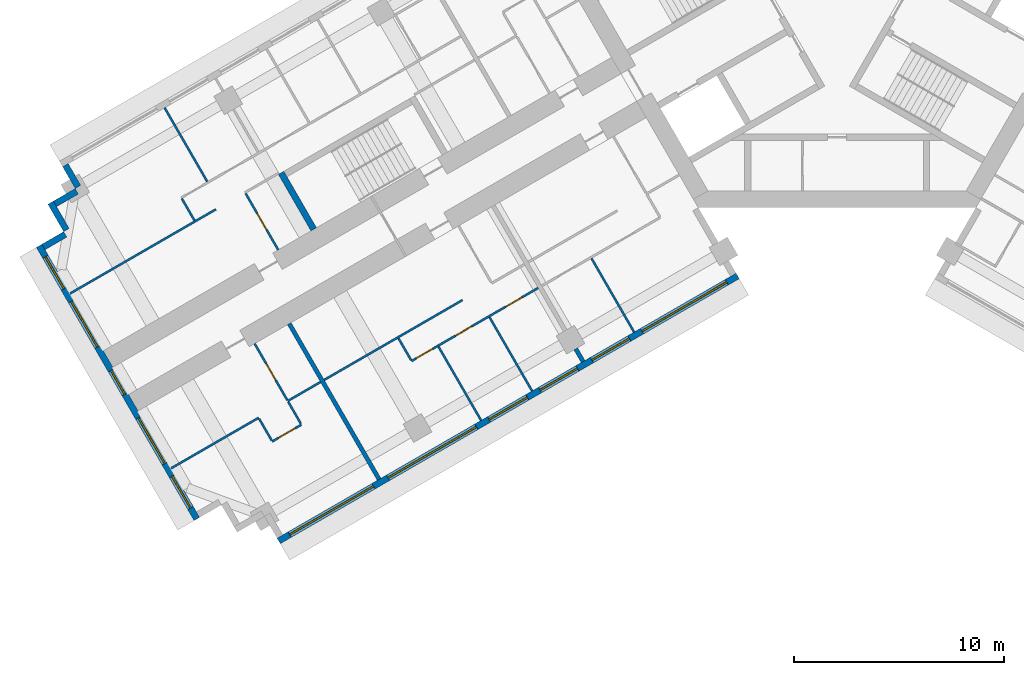
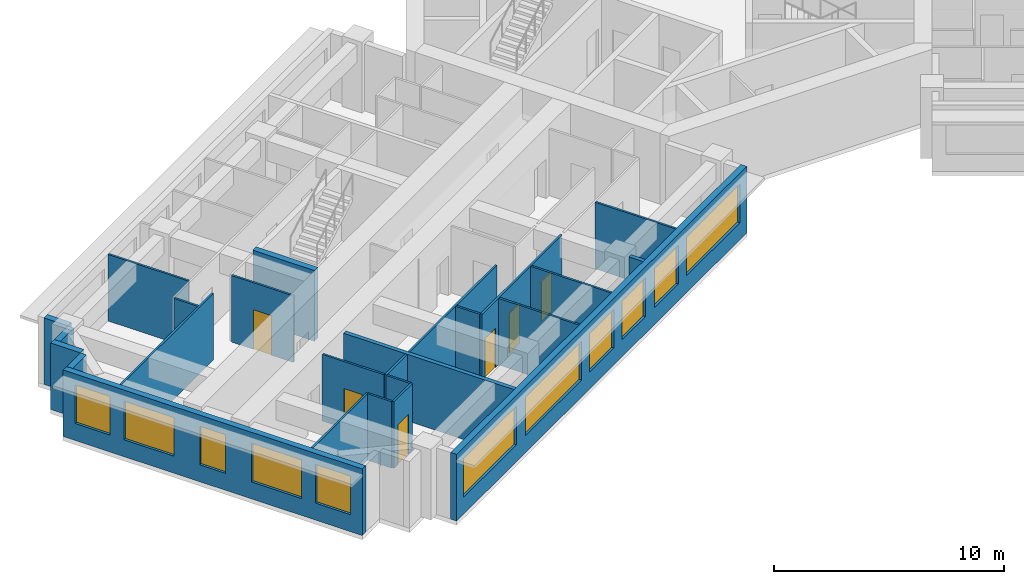
# One storey, part 3 of 14: 25 walls, 11 windows, 6 doors, 17 openings.
"""IFC4 building model written with IfcOpenShell, lengths in metres."""

from ifc_helpers import new_model, si_unit, direction, frame, frame_2d, origin, place, context, subcontext, project, spatial, rectangle, extrude, material, layer, layer_set, type_object, element, fill, save


model = new_model("IFC4")

# Units and contexts
model_context = context("Model", 3, precision=1e-05, world=origin(), true_north=direction((0.0, 1.0)))
body_context = subcontext(model_context, "Body", "Model", "MODEL_VIEW")
ifc_project = project(units=[si_unit("LENGTHUNIT", "METRE"), si_unit("AREAUNIT", "SQUARE_METRE"), si_unit("VOLUMEUNIT", "CUBIC_METRE"), si_unit("PLANEANGLEUNIT", "RADIAN"), si_unit("MASSUNIT", "GRAM", prefix="KILO")], contexts=[model_context])

# Site, building, storey
site_placement = place(None, origin())
site = spatial("IfcSite", under=ifc_project, at=site_placement, CompositionType="ELEMENT")
building_placement = place(site_placement, origin())
building = spatial("IfcBuilding", under=site, at=building_placement, Name="Impinga Residences", CompositionType="ELEMENT")
storey_placement = place(building_placement, frame((0.0, 0.0, 154.75)))
storey = spatial("IfcBuildingStorey", under=building, at=storey_placement, Name="L38", CompositionType="ELEMENT", Elevation=154.75)

# Wall, openings, windows
ifc_material_1 = material(Name="Terracotta rainscreen on blockwork", Category="masonry")
ifc_layer_1 = layer(ifc_material_1, 0.300048828125)
ifc_layer_set_1 = layer_set([ifc_layer_1], Name="EW1 external wall, terracotta rainscreen on blockwork 300")
wall_type_1 = type_object("IfcWallType", Name="EW1 external wall, terracotta rainscreen on blockwork 300", PredefinedType="SOLIDWALL", material=ifc_layer_set_1)
wall_1_placement = place(storey_placement, frame((-4.72509765625, -14.67919921875, 0.0), z_axis=(0.0, 0.0, 1.0), x_axis=(-0.866026832479, -0.499997525421, 0.0)))
wall_1 = element("IfcWall", 1, at=wall_1_placement, inside=storey, type_object=wall_type_1, Name="External wall EW1 L38", PredefinedType="SOLIDWALL", context=body_context, shape_type="SweptSolid", body=[
    extrude(rectangle(XDim=25.199951171875, YDim=0.300048828125, at=frame_2d((12.60009765625, 0.0))), origin(), (0.0, 0.0, 1.0), 3.530029296875),
])
opening_1_placement = place(wall_1_placement, frame((0.60009765625, 0.0, 0.89990234375)))
opening_1 = element("IfcOpeningElement", 2, at=opening_1_placement, cuts=wall_1, Name="Opening W10", PredefinedType="OPENING", context=body_context, shape_type="SweptSolid", body=[
    extrude(rectangle(XDim=4.64990234375, YDim=2.050048828125, at=frame_2d((2.324951171875, 1.02490234375))), frame((0.0, 0.159912109375, 0.0), z_axis=(0.0, -1.0, 0.0), x_axis=(1.0, 0.0, 0.0)), (0.0, 0.0, 1.0), 0.320068359375),
])
opening_2_placement = place(wall_1_placement, frame((5.949951171875, 0.0, 0.89990234375)))
opening_2 = element("IfcOpeningElement", 3, at=opening_2_placement, cuts=wall_1, Name="Opening W14", PredefinedType="OPENING", context=body_context, shape_type="SweptSolid", body=[
    extrude(rectangle(XDim=2.050048828125, YDim=2.050048828125, at=frame_2d((1.02490234375, 1.02490234375))), frame((0.0, 0.159912109375, 0.0), z_axis=(0.0, -1.0, 0.0), x_axis=(1.0, 0.0, 0.0)), (0.0, 0.0, 1.0), 0.320068359375),
])
opening_3_placement = place(wall_1_placement, frame((8.800048828125, 0.0, 0.89990234375)))
opening_3 = element("IfcOpeningElement", 4, at=opening_3_placement, cuts=wall_1, Name="Opening W14", PredefinedType="OPENING", context=body_context, shape_type="SweptSolid", body=[
    extrude(rectangle(XDim=2.050048828125, YDim=2.050048828125, at=frame_2d((1.02490234375, 1.02490234375))), frame((0.0, 0.159912109375, 0.0), z_axis=(0.0, -1.0, 0.0), x_axis=(1.0, 0.0, 0.0)), (0.0, 0.0, 1.0), 0.320068359375),
])
opening_4_placement = place(wall_1_placement, frame((11.550048828125, 0.0, 0.89990234375)))
opening_4 = element("IfcOpeningElement", 5, at=opening_4_placement, cuts=wall_1, Name="Opening W9", PredefinedType="OPENING", context=body_context, shape_type="SweptSolid", body=[
    extrude(rectangle(XDim=2.10009765625, YDim=2.050048828125, at=frame_2d((1.050048828125, 1.02490234375))), frame((0.0, 0.159912109375, 0.0), z_axis=(0.0, -1.0, 0.0), x_axis=(1.0, 0.0, 0.0)), (0.0, 0.0, 1.0), 0.320068359375),
])
opening_5_placement = place(wall_1_placement, frame((14.35009765625, 0.0, 0.89990234375)))
opening_5 = element("IfcOpeningElement", 6, at=opening_5_placement, cuts=wall_1, Name="Opening W6", PredefinedType="OPENING", context=body_context, shape_type="SweptSolid", body=[
    extrude(rectangle(XDim=4.85009765625, YDim=2.050048828125, at=frame_2d((2.425048828125, 1.02490234375))), frame((0.0, 0.159912109375, 0.0), z_axis=(0.0, -1.0, 0.0), x_axis=(1.0, 0.0, 0.0)), (0.0, 0.0, 1.0), 0.320068359375),
])
opening_6_placement = place(wall_1_placement, frame((20.0, 0.0, 0.89990234375)))
opening_6 = element("IfcOpeningElement", 7, at=opening_6_placement, cuts=wall_1, Name="Opening W3", PredefinedType="OPENING", context=body_context, shape_type="SweptSolid", body=[
    extrude(rectangle(XDim=4.60009765625, YDim=2.050048828125, at=frame_2d((2.300048828125, 1.02490234375))), frame((0.0, 0.159912109375, 0.0), z_axis=(0.0, -1.0, 0.0), x_axis=(1.0, 0.0, 0.0)), (0.0, 0.0, 1.0), 0.320068359375),
])
ifc_material_2 = material(Name="Aluminium window, clear double glazing", Category="aluminium")
window_type_1 = type_object("IfcWindowType", Name="W10 ribbon window 4650x2050", PartitioningType="SINGLE_PANEL", PredefinedType="WINDOW", material=ifc_material_2)
window_1_placement = place(opening_1_placement, origin())
window_1 = element("IfcWindow", 8, at=window_1_placement, inside=storey, type_object=window_type_1, Name="Window L38", OverallHeight=2.050048828125, OverallWidth=4.64990234375, PartitioningType="SINGLE_PANEL", PredefinedType="WINDOW", context=body_context, shape_type="SweptSolid", body=[
    extrude(rectangle(XDim=4.64990234375, YDim=2.050048828125, at=frame_2d((2.324951171875, 1.02490234375))), frame((0.0, 0.030029296875, 0.0), z_axis=(0.0, -1.0, 0.0), x_axis=(1.0, 0.0, 0.0)), (0.0, 0.0, 1.0), 0.06005859375),
])
fill(opening_1, window_1)
window_type_2 = type_object("IfcWindowType", Name="W14 ribbon window 2050x2050", PartitioningType="SINGLE_PANEL", PredefinedType="WINDOW", material=ifc_material_2)
window_2_placement = place(opening_2_placement, origin())
window_2 = element("IfcWindow", 9, at=window_2_placement, inside=storey, type_object=window_type_2, Name="Window L38", OverallHeight=2.050048828125, OverallWidth=2.050048828125, PartitioningType="SINGLE_PANEL", PredefinedType="WINDOW", context=body_context, shape_type="SweptSolid", body=[
    extrude(rectangle(XDim=2.050048828125, YDim=2.050048828125, at=frame_2d((1.02490234375, 1.02490234375))), frame((0.0, 0.030029296875, 0.0), z_axis=(0.0, -1.0, 0.0), x_axis=(1.0, 0.0, 0.0)), (0.0, 0.0, 1.0), 0.06005859375),
])
fill(opening_2, window_2)
window_3_placement = place(opening_3_placement, origin())
window_3 = element("IfcWindow", 10, at=window_3_placement, inside=storey, type_object=window_type_2, Name="Window L38", OverallHeight=2.050048828125, OverallWidth=2.050048828125, PartitioningType="SINGLE_PANEL", PredefinedType="WINDOW", context=body_context, shape_type="SweptSolid", body=[
    extrude(rectangle(XDim=2.050048828125, YDim=2.050048828125, at=frame_2d((1.02490234375, 1.02490234375))), frame((0.0, 0.030029296875, 0.0), z_axis=(0.0, -1.0, 0.0), x_axis=(1.0, 0.0, 0.0)), (0.0, 0.0, 1.0), 0.06005859375),
])
fill(opening_3, window_3)
window_type_3 = type_object("IfcWindowType", Name="W3 ribbon window 4600x2050", PartitioningType="SINGLE_PANEL", PredefinedType="WINDOW", material=ifc_material_2)
window_4_placement = place(opening_6_placement, origin())
window_4 = element("IfcWindow", 11, at=window_4_placement, inside=storey, type_object=window_type_3, Name="Window L38", OverallHeight=2.050048828125, OverallWidth=4.60009765625, PartitioningType="SINGLE_PANEL", PredefinedType="WINDOW", context=body_context, shape_type="SweptSolid", body=[
    extrude(rectangle(XDim=4.60009765625, YDim=2.050048828125, at=frame_2d((2.300048828125, 1.02490234375))), frame((0.0, 0.030029296875, 0.0), z_axis=(0.0, -1.0, 0.0), x_axis=(1.0, 0.0, 0.0)), (0.0, 0.0, 1.0), 0.06005859375),
])
fill(opening_6, window_4)
window_type_4 = type_object("IfcWindowType", Name="W6 ribbon window 4850x2050", PartitioningType="SINGLE_PANEL", PredefinedType="WINDOW", material=ifc_material_2)
window_5_placement = place(opening_5_placement, origin())
window_5 = element("IfcWindow", 12, at=window_5_placement, inside=storey, type_object=window_type_4, Name="Window L38", OverallHeight=2.050048828125, OverallWidth=4.85009765625, PartitioningType="SINGLE_PANEL", PredefinedType="WINDOW", context=body_context, shape_type="SweptSolid", body=[
    extrude(rectangle(XDim=4.85009765625, YDim=2.050048828125, at=frame_2d((2.425048828125, 1.02490234375))), frame((0.0, 0.030029296875, 0.0), z_axis=(0.0, -1.0, 0.0), x_axis=(1.0, 0.0, 0.0)), (0.0, 0.0, 1.0), 0.06005859375),
])
fill(opening_5, window_5)
window_type_5 = type_object("IfcWindowType", Name="W9 ribbon window 2100x2050", PartitioningType="SINGLE_PANEL", PredefinedType="WINDOW", material=ifc_material_2)
window_6_placement = place(opening_4_placement, origin())
window_6 = element("IfcWindow", 13, at=window_6_placement, inside=storey, type_object=window_type_5, Name="Window L38", OverallHeight=2.050048828125, OverallWidth=2.10009765625, PartitioningType="SINGLE_PANEL", PredefinedType="WINDOW", context=body_context, shape_type="SweptSolid", body=[
    extrude(rectangle(XDim=2.10009765625, YDim=2.050048828125, at=frame_2d((1.050048828125, 1.02490234375))), frame((0.0, 0.030029296875, 0.0), z_axis=(0.0, -1.0, 0.0), x_axis=(1.0, 0.0, 0.0)), (0.0, 0.0, 1.0), 0.06005859375),
])
fill(opening_4, window_6)

wall_2_placement = place(storey_placement, frame((-30.44189453125, -26.23583984375, 0.0), z_axis=(0.0, 0.0, 1.0), x_axis=(-0.500004234368, 0.866022959057, 0.0)))
wall_2 = element("IfcWall", 14, at=wall_2_placement, inside=storey, type_object=wall_type_1, Name="External wall EW1 L38", PredefinedType="SOLIDWALL", context=body_context, shape_type="SweptSolid", body=[
    extrude(rectangle(XDim=14.999755859375, YDim=0.300048828125, at=frame_2d((7.5, 0.0))), origin(), (0.0, 0.0, 1.0), 3.530029296875),
])
opening_7_placement = place(wall_2_placement, frame((0.60009765625, 0.0, 0.89990234375)))
opening_7 = element("IfcOpeningElement", 15, at=opening_7_placement, cuts=wall_2, Name="Opening W1", PredefinedType="OPENING", context=body_context, shape_type="SweptSolid", body=[
    extrude(rectangle(XDim=1.75, YDim=2.050048828125, at=frame_2d((0.875, 1.02490234375))), frame((0.0, 0.159912109375, 0.0), z_axis=(0.0, -1.0, 0.0), x_axis=(1.0, 0.0, 0.0)), (0.0, 0.0, 1.0), 0.320068359375),
])
opening_8_placement = place(wall_2_placement, frame((3.050048828125, 0.0, 0.89990234375)))
opening_8 = element("IfcOpeningElement", 16, at=opening_8_placement, cuts=wall_2, Name="Opening W2", PredefinedType="OPENING", context=body_context, shape_type="SweptSolid", body=[
    extrude(rectangle(XDim=2.5, YDim=2.050048828125, at=frame_2d((1.25, 1.02490234375))), frame((0.0, 0.159912109375, 0.0), z_axis=(0.0, -1.0, 0.0), x_axis=(1.0, 0.0, 0.0)), (0.0, 0.0, 1.0), 0.320068359375),
])
opening_9_placement = place(wall_2_placement, frame((6.85009765625, 0.0, 0.89990234375)))
opening_9 = element("IfcOpeningElement", 17, at=opening_9_placement, cuts=wall_2, Name="Opening W17", PredefinedType="OPENING", context=body_context, shape_type="SweptSolid", body=[
    extrude(rectangle(XDim=1.300048828125, YDim=2.050048828125, at=frame_2d((0.64990234375, 1.02490234375))), frame((0.0, 0.159912109375, 0.0), z_axis=(0.0, -1.0, 0.0), x_axis=(1.0, 0.0, 0.0)), (0.0, 0.0, 1.0), 0.320068359375),
])
opening_10_placement = place(wall_2_placement, frame((9.449951171875, 0.0, 0.89990234375)))
opening_10 = element("IfcOpeningElement", 18, at=opening_10_placement, cuts=wall_2, Name="Opening W2", PredefinedType="OPENING", context=body_context, shape_type="SweptSolid", body=[
    extrude(rectangle(XDim=2.5, YDim=2.050048828125, at=frame_2d((1.25, 1.02490234375))), frame((0.0, 0.159912109375, 0.0), z_axis=(0.0, -1.0, 0.0), x_axis=(1.0, 0.0, 0.0)), (0.0, 0.0, 1.0), 0.320068359375),
])
opening_11_placement = place(wall_2_placement, frame((12.64990234375, 0.0, 0.89990234375)))
opening_11 = element("IfcOpeningElement", 19, at=opening_11_placement, cuts=wall_2, Name="Opening W1", PredefinedType="OPENING", context=body_context, shape_type="SweptSolid", body=[
    extrude(rectangle(XDim=1.75, YDim=2.050048828125, at=frame_2d((0.875, 1.02490234375))), frame((0.0, 0.159912109375, 0.0), z_axis=(0.0, -1.0, 0.0), x_axis=(1.0, 0.0, 0.0)), (0.0, 0.0, 1.0), 0.320068359375),
])
window_type_6 = type_object("IfcWindowType", Name="W1 ribbon window 1750x2050", PartitioningType="SINGLE_PANEL", PredefinedType="WINDOW", material=ifc_material_2)
window_7_placement = place(opening_7_placement, origin())
window_7 = element("IfcWindow", 20, at=window_7_placement, inside=storey, type_object=window_type_6, Name="Window L38", OverallHeight=2.050048828125, OverallWidth=1.75, PartitioningType="SINGLE_PANEL", PredefinedType="WINDOW", context=body_context, shape_type="SweptSolid", body=[
    extrude(rectangle(XDim=1.75, YDim=2.050048828125, at=frame_2d((0.875, 1.02490234375))), frame((0.0, 0.030029296875, 0.0), z_axis=(0.0, -1.0, 0.0), x_axis=(1.0, 0.0, 0.0)), (0.0, 0.0, 1.0), 0.06005859375),
])
fill(opening_7, window_7)
window_8_placement = place(opening_11_placement, origin())
window_8 = element("IfcWindow", 21, at=window_8_placement, inside=storey, type_object=window_type_6, Name="Window L38", OverallHeight=2.050048828125, OverallWidth=1.75, PartitioningType="SINGLE_PANEL", PredefinedType="WINDOW", context=body_context, shape_type="SweptSolid", body=[
    extrude(rectangle(XDim=1.75, YDim=2.050048828125, at=frame_2d((0.875, 1.02490234375))), frame((0.0, 0.030029296875, 0.0), z_axis=(0.0, -1.0, 0.0), x_axis=(1.0, 0.0, 0.0)), (0.0, 0.0, 1.0), 0.06005859375),
])
fill(opening_11, window_8)
window_type_7 = type_object("IfcWindowType", Name="W17 ribbon window 1300x2050", PartitioningType="SINGLE_PANEL", PredefinedType="WINDOW", material=ifc_material_2)
window_9_placement = place(opening_9_placement, origin())
window_9 = element("IfcWindow", 22, at=window_9_placement, inside=storey, type_object=window_type_7, Name="Window L38", OverallHeight=2.050048828125, OverallWidth=1.300048828125, PartitioningType="SINGLE_PANEL", PredefinedType="WINDOW", context=body_context, shape_type="SweptSolid", body=[
    extrude(rectangle(XDim=1.300048828125, YDim=2.050048828125, at=frame_2d((0.64990234375, 1.02490234375))), frame((0.0, 0.030029296875, 0.0), z_axis=(0.0, -1.0, 0.0), x_axis=(1.0, 0.0, 0.0)), (0.0, 0.0, 1.0), 0.06005859375),
])
fill(opening_9, window_9)
window_type_8 = type_object("IfcWindowType", Name="W2 ribbon window 2500x2050", PartitioningType="SINGLE_PANEL", PredefinedType="WINDOW", material=ifc_material_2)
window_10_placement = place(opening_8_placement, origin())
window_10 = element("IfcWindow", 23, at=window_10_placement, inside=storey, type_object=window_type_8, Name="Window L38", OverallHeight=2.050048828125, OverallWidth=2.5, PartitioningType="SINGLE_PANEL", PredefinedType="WINDOW", context=body_context, shape_type="SweptSolid", body=[
    extrude(rectangle(XDim=2.5, YDim=2.050048828125, at=frame_2d((1.25, 1.02490234375))), frame((0.0, 0.030029296875, 0.0), z_axis=(0.0, -1.0, 0.0), x_axis=(1.0, 0.0, 0.0)), (0.0, 0.0, 1.0), 0.06005859375),
])
fill(opening_8, window_10)
window_11_placement = place(opening_10_placement, origin())
window_11 = element("IfcWindow", 24, at=window_11_placement, inside=storey, type_object=window_type_8, Name="Window L38", OverallHeight=2.050048828125, OverallWidth=2.5, PartitioningType="SINGLE_PANEL", PredefinedType="WINDOW", context=body_context, shape_type="SweptSolid", body=[
    extrude(rectangle(XDim=2.5, YDim=2.050048828125, at=frame_2d((1.25, 1.02490234375))), frame((0.0, 0.030029296875, 0.0), z_axis=(0.0, -1.0, 0.0), x_axis=(1.0, 0.0, 0.0)), (0.0, 0.0, 1.0), 0.06005859375),
])
fill(opening_10, window_11)

# Walls
wall_3_placement = place(storey_placement, frame((-37.737060546875, -13.300537109375, 0.0), z_axis=(0.0, 0.0, 1.0), x_axis=(0.865971243484, 0.500093796661, 0.0)))
element("IfcWall", 25, at=wall_3_placement, inside=storey, type_object=wall_type_1, Name="External wall EW1 L38", PredefinedType="SOLIDWALL", context=body_context, shape_type="SweptSolid", body=[
    extrude(rectangle(XDim=1.195068359375, YDim=0.300048828125, at=frame_2d((0.59765625, 0.0))), origin(), (0.0, 0.0, 1.0), 3.530029296875),
])
wall_4_placement = place(storey_placement, frame((-36.64306640625, -12.49560546875, 0.0), z_axis=(0.0, 0.0, 1.0), x_axis=(-0.499990139034, 0.866031096941, 0.0)))
element("IfcWall", 26, at=wall_4_placement, inside=storey, type_object=wall_type_1, Name="External wall EW1 L38", PredefinedType="SOLIDWALL", context=body_context, shape_type="SweptSolid", body=[
    extrude(rectangle(XDim=1.5, YDim=0.300048828125, at=frame_2d((0.75, 0.0))), origin(), (0.0, 0.0, 1.0), 3.530029296875),
])
wall_5_placement = place(storey_placement, frame((-37.18798828125, -11.25146484375, 0.0), z_axis=(0.0, 0.0, 1.0), x_axis=(0.866059708757, 0.499940577336, 0.0)))
element("IfcWall", 27, at=wall_5_placement, inside=storey, type_object=wall_type_1, Name="External wall EW1 L38", PredefinedType="SOLIDWALL", context=body_context, shape_type="SweptSolid", body=[
    extrude(rectangle(XDim=1.195068359375, YDim=0.300048828125, at=frame_2d((0.59765625, 0.0))), origin(), (0.0, 0.0, 1.0), 3.530029296875),
])
wall_6_placement = place(storey_placement, frame((-36.093994140625, -10.446533203125, 0.0), z_axis=(0.0, 0.0, 1.0), x_axis=(-0.499880961361, 0.866094119867, 0.0)))
element("IfcWall", 28, at=wall_6_placement, inside=storey, type_object=wall_type_1, Name="External wall EW1 L38", PredefinedType="SOLIDWALL", context=body_context, shape_type="SweptSolid", body=[
    extrude(rectangle(XDim=1.199951171875, YDim=0.300048828125, at=frame_2d((0.60009765625, 0.0))), origin(), (0.0, 0.0, 1.0), 3.530029296875),
])
ifc_material_3 = material(Name="Gypsum board on steel studs", Category="steel")
ifc_layer_2 = layer(ifc_material_3, 0.10009765625)
ifc_layer_set_2 = layer_set([ifc_layer_2], Name="Gypsum board on steel studs")
wall_type_2 = type_object("IfcWallType", Name="IP1 partition 100", PredefinedType="PARTITIONING", material=ifc_layer_set_2)
wall_7_placement = place(storey_placement, frame((-11.6748046875, -13.841796875, 0.0), z_axis=(0.0, 0.0, 1.0), x_axis=(0.500035537042, -0.866004885491, 0.0)))
element("IfcWall", 29, at=wall_7_placement, inside=storey, type_object=wall_type_2, Name="Partition L38-WA1:OB1", PredefinedType="PARTITIONING", context=body_context, shape_type="SweptSolid", body=[
    extrude(rectangle(XDim=4.050048828125, YDim=0.10009765625, at=frame_2d((2.02490234375, 0.0))), origin(), (0.0, 0.0, 1.0), 3.530029296875),
])
wall_8_placement = place(storey_placement, frame((-17.8056640625, -15.82275390625, 0.0), z_axis=(0.0, 0.0, 1.0), x_axis=(-0.866022425744, -0.500005158081, 0.0)))
element("IfcWall", 30, at=wall_8_placement, inside=storey, type_object=wall_type_2, Name="Partition L38-WA2:DIV1", PredefinedType="PARTITIONING", context=body_context, shape_type="SweptSolid", body=[
    extrude(rectangle(XDim=7.60009765625, YDim=0.10009765625, at=frame_2d((3.800048828125, 0.0))), origin(), (0.0, 0.0, 1.0), 3.530029296875),
])

# Wall, openings, doors
wall_9_placement = place(storey_placement, frame((-14.211181640625, -15.24853515625, 0.0), z_axis=(0.0, 0.0, 1.0), x_axis=(-0.866016523273, -0.500015381182, 0.0)))
wall_9 = element("IfcWall", 31, at=wall_9_placement, inside=storey, type_object=wall_type_2, Name="Partition L38-WA2:STRIP", PredefinedType="PARTITIONING", context=body_context, shape_type="SweptSolid", body=[
    extrude(rectangle(XDim=6.949951171875, YDim=0.10009765625, at=frame_2d((3.47509765625, 0.0))), origin(), (0.0, 0.0, 1.0), 3.530029296875),
])
opening_12_placement = place(wall_9_placement, frame((0.875, 0.0, 0.0)))
opening_12 = element("IfcOpeningElement", 32, at=opening_12_placement, cuts=wall_9, Name="Opening D2", PredefinedType="OPENING", context=body_context, shape_type="SweptSolid", body=[
    extrude(rectangle(XDim=0.89990234375, YDim=2.10009765625, at=frame_2d((0.449951171875, 1.050048828125))), frame((0.0, 0.06005859375, 0.0), z_axis=(0.0, -1.0, 0.0), x_axis=(1.0, 0.0, 0.0)), (0.0, 0.0, 1.0), 0.1201171875),
])
opening_13_placement = place(wall_9_placement, frame((3.64990234375, 0.0, 0.0)))
opening_13 = element("IfcOpeningElement", 33, at=opening_13_placement, cuts=wall_9, Name="Opening D2", PredefinedType="OPENING", context=body_context, shape_type="SweptSolid", body=[
    extrude(rectangle(XDim=0.89990234375, YDim=2.10009765625, at=frame_2d((0.449951171875, 1.050048828125))), frame((0.0, 0.06005859375, 0.0), z_axis=(0.0, -1.0, 0.0), x_axis=(1.0, 0.0, 0.0)), (0.0, 0.0, 1.0), 0.1201171875),
])
opening_14_placement = place(wall_9_placement, frame((5.800048828125, 0.0, 0.0)))
opening_14 = element("IfcOpeningElement", 34, at=opening_14_placement, cuts=wall_9, Name="Opening D2", PredefinedType="OPENING", context=body_context, shape_type="SweptSolid", body=[
    extrude(rectangle(XDim=0.89990234375, YDim=2.10009765625, at=frame_2d((0.449951171875, 1.050048828125))), frame((0.0, 0.06005859375, 0.0), z_axis=(0.0, -1.0, 0.0), x_axis=(1.0, 0.0, 0.0)), (0.0, 0.0, 1.0), 0.1201171875),
])
ifc_material_4 = material(Name="Timber door set", Category="wood")
door_type = type_object("IfcDoorType", Name="D2 internal door 900x2100", OperationType="SINGLE_SWING_LEFT", PredefinedType="DOOR", material=ifc_material_4)
door_1_placement = place(opening_12_placement, origin())
door_1 = element("IfcDoor", 35, at=door_1_placement, inside=storey, type_object=door_type, Name="Apartment L38-WA2 room door", OperationType="SINGLE_SWING_LEFT", OverallHeight=2.10009765625, OverallWidth=0.89990234375, PredefinedType="DOOR", context=body_context, shape_type="SweptSolid", body=[
    extrude(rectangle(XDim=0.89990234375, YDim=2.10009765625, at=frame_2d((0.449951171875, 1.050048828125))), frame((0.0, 0.02490234375, 0.0), z_axis=(0.0, -1.0, 0.0), x_axis=(1.0, 0.0, 0.0)), (0.0, 0.0, 1.0), 0.050048828125),
])
fill(opening_12, door_1)
door_2_placement = place(opening_13_placement, origin())
door_2 = element("IfcDoor", 36, at=door_2_placement, inside=storey, type_object=door_type, Name="Apartment L38-WA2 room door", OperationType="SINGLE_SWING_RIGHT", OverallHeight=2.10009765625, OverallWidth=0.89990234375, PredefinedType="DOOR", context=body_context, shape_type="SweptSolid", body=[
    extrude(rectangle(XDim=0.89990234375, YDim=2.10009765625, at=frame_2d((0.449951171875, 1.050048828125))), frame((0.0, 0.02490234375, 0.0), z_axis=(0.0, -1.0, 0.0), x_axis=(1.0, 0.0, 0.0)), (0.0, 0.0, 1.0), 0.050048828125),
])
fill(opening_13, door_2)
door_3_placement = place(opening_14_placement, origin())
door_3 = element("IfcDoor", 37, at=door_3_placement, inside=storey, type_object=door_type, Name="Apartment L38-WA2 room door", OperationType="SINGLE_SWING_RIGHT", OverallHeight=2.10009765625, OverallWidth=0.89990234375, PredefinedType="DOOR", context=body_context, shape_type="SweptSolid", body=[
    extrude(rectangle(XDim=0.89990234375, YDim=2.10009765625, at=frame_2d((0.449951171875, 1.050048828125))), frame((0.0, 0.02490234375, 0.0), z_axis=(0.0, -1.0, 0.0), x_axis=(1.0, 0.0, 0.0)), (0.0, 0.0, 1.0), 0.050048828125),
])
fill(opening_14, door_3)

# Walls
wall_10_placement = place(storey_placement, frame((-20.85498046875, -17.640869140625, 0.0), z_axis=(0.0, 0.0, 1.0), x_axis=(0.499880961361, -0.866094119867, 0.0)))
element("IfcWall", 38, at=wall_10_placement, inside=storey, type_object=wall_type_2, Name="Partition L38-WA2:SE1", PredefinedType="PARTITIONING", context=body_context, shape_type="SweptSolid", body=[
    extrude(rectangle(XDim=1.199951171875, YDim=0.10009765625, at=frame_2d((0.60009765625, 0.0))), origin(), (0.0, 0.0, 1.0), 3.530029296875),
])
wall_11_placement = place(storey_placement, frame((-16.5244140625, -16.641845703125, 0.0), z_axis=(0.0, 0.0, 1.0), x_axis=(0.499990325971, -0.866030989016, 0.0)))
element("IfcWall", 39, at=wall_11_placement, inside=storey, type_object=wall_type_2, Name="Partition L38-WA2:OB1", PredefinedType="PARTITIONING", context=body_context, shape_type="SweptSolid", body=[
    extrude(rectangle(XDim=4.0498046875, YDim=0.10009765625, at=frame_2d((2.02490234375, 0.0))), origin(), (0.0, 0.0, 1.0), 3.530029296875),
])
wall_12_placement = place(storey_placement, frame((-18.949462890625, -18.041748046875, 0.0), z_axis=(0.0, 0.0, 1.0), x_axis=(0.50000943426, -0.866019956843, 0.0)))
element("IfcWall", 40, at=wall_12_placement, inside=storey, type_object=wall_type_2, Name="Partition L38-WA2:OB2", PredefinedType="PARTITIONING", context=body_context, shape_type="SweptSolid", body=[
    extrude(rectangle(XDim=4.05029296875, YDim=0.10009765625, at=frame_2d((2.025146484375, 0.0))), origin(), (0.0, 0.0, 1.0), 3.530029296875),
])
wall_13_placement = place(storey_placement, frame((-24.560791015625, -19.72265625, 0.0), z_axis=(0.0, 0.0, 1.0), x_axis=(-0.865989075817, -0.500062916607, 0.0)))
element("IfcWall", 41, at=wall_13_placement, inside=storey, type_object=wall_type_2, Name="Partition L38-WA3:DIV0", PredefinedType="PARTITIONING", context=body_context, shape_type="SweptSolid", body=[
    extrude(rectangle(XDim=1.800048828125, YDim=0.10009765625, at=frame_2d((0.89990234375, 0.0))), origin(), (0.0, 0.0, 1.0), 3.530029296875),
])
wall_14_placement = place(storey_placement, frame((-27.505126953125, -21.422607421875, 0.0), z_axis=(0.0, 0.0, 1.0), x_axis=(-0.866015339567, -0.500017431331, 0.0)))
element("IfcWall", 42, at=wall_14_placement, inside=storey, type_object=wall_type_2, Name="Partition L38-WA3:DIV1", PredefinedType="PARTITIONING", context=body_context, shape_type="SweptSolid", body=[
    extrude(rectangle(XDim=4.800048828125, YDim=0.10009765625, at=frame_2d((2.39990234375, 0.0))), origin(), (0.0, 0.0, 1.0), 3.530029296875),
])

# Wall, opening, door
wall_15_placement = place(storey_placement, frame((-25.469482421875, -21.74853515625, 0.0), z_axis=(0.0, 0.0, 1.0), x_axis=(-0.866028054938, -0.499995408039, 0.0)))
wall_15 = element("IfcWall", 43, at=wall_15_placement, inside=storey, type_object=wall_type_2, Name="Partition L38-WA3:STRIP", PredefinedType="PARTITIONING", context=body_context, shape_type="SweptSolid", body=[
    extrude(rectangle(XDim=1.60009765625, YDim=0.10009765625, at=frame_2d((0.800048828125, 0.0))), origin(), (0.0, 0.0, 1.0), 3.530029296875),
])
opening_15_placement = place(wall_15_placement, frame((0.35009765625, 0.0, 0.0)))
opening_15 = element("IfcOpeningElement", 44, at=opening_15_placement, cuts=wall_15, Name="Opening D2", PredefinedType="OPENING", context=body_context, shape_type="SweptSolid", body=[
    extrude(rectangle(XDim=0.89990234375, YDim=2.10009765625, at=frame_2d((0.449951171875, 1.050048828125))), frame((0.0, 0.06005859375, 0.0), z_axis=(0.0, -1.0, 0.0), x_axis=(1.0, 0.0, 0.0)), (0.0, 0.0, 1.0), 0.1201171875),
])
door_4_placement = place(opening_15_placement, origin())
door_4 = element("IfcDoor", 45, at=door_4_placement, inside=storey, type_object=door_type, Name="Apartment L38-WA3 room door", OperationType="SINGLE_SWING_LEFT", OverallHeight=2.10009765625, OverallWidth=0.89990234375, PredefinedType="DOOR", context=body_context, shape_type="SweptSolid", body=[
    extrude(rectangle(XDim=0.89990234375, YDim=2.10009765625, at=frame_2d((0.449951171875, 1.050048828125))), frame((0.0, 0.02490234375, 0.0), z_axis=(0.0, -1.0, 0.0), x_axis=(1.0, 0.0, 0.0)), (0.0, 0.0, 1.0), 0.050048828125),
])
fill(opening_15, door_4)

# Walls
for number, where, z_axis, x_axis, name in (
    (46, (-26.094482421875, -20.666015625, 0.0), (0.0, 0.0, 1.0), (0.499880961361, -0.866094119867, 0.0), "Partition L38-WA3:SE0"),
    (47, (-27.480224609375, -21.466064453125, 0.0), (0.0, 0.0, 1.0), (0.50012165622, -0.865955154139, 0.0), "Partition L38-WA3:SE1"),
):
    element("IfcWall", number, at=place(storey_placement, frame(where, z_axis=z_axis, x_axis=x_axis)), inside=storey, type_object=wall_type_2, Name=name, PredefinedType="PARTITIONING", context=body_context, shape_type="SweptSolid", body=[
        extrude(rectangle(XDim=1.199951171875, YDim=0.10009765625, at=frame_2d((0.60009765625, 0.0))), origin(), (0.0, 0.0, 1.0), 3.530029296875),
    ])

# Wall, opening, door
wall_16_placement = place(storey_placement, frame((-27.694580078125, -17.894775390625, 0.0), z_axis=(0.0, 0.0, 1.0), x_axis=(0.500026960575, -0.86600983753, 0.0)))
wall_16 = element("IfcWall", 48, at=wall_16_placement, inside=storey, type_object=wall_type_2, Name="Partition L38-WA3:IB1", PredefinedType="PARTITIONING", context=body_context, shape_type="SweptSolid", body=[
    extrude(rectangle(XDim=3.099853515625, YDim=0.10009765625, at=frame_2d((1.5498046875, 0.0))), origin(), (0.0, 0.0, 1.0), 3.530029296875),
])
opening_16_placement = place(wall_16_placement, frame((1.10009765625, 0.0, 0.0)))
opening_16 = element("IfcOpeningElement", 49, at=opening_16_placement, cuts=wall_16, Name="Opening D2", PredefinedType="OPENING", context=body_context, shape_type="SweptSolid", body=[
    extrude(rectangle(XDim=0.89990234375, YDim=2.10009765625, at=frame_2d((0.449951171875, 1.050048828125))), frame((0.0, 0.06005859375, 0.0), z_axis=(0.0, -1.0, 0.0), x_axis=(1.0, 0.0, 0.0)), (0.0, 0.0, 1.0), 0.1201171875),
])
door_5_placement = place(opening_16_placement, origin())
door_5 = element("IfcDoor", 50, at=door_5_placement, inside=storey, type_object=door_type, Name="Apartment L38-WA3 bathroom door", OperationType="SINGLE_SWING_LEFT", OverallHeight=2.10009765625, OverallWidth=0.89990234375, PredefinedType="DOOR", context=body_context, shape_type="SweptSolid", body=[
    extrude(rectangle(XDim=0.89990234375, YDim=2.10009765625, at=frame_2d((0.449951171875, 1.050048828125))), frame((0.0, 0.02490234375, 0.0), z_axis=(0.0, -1.0, 0.0), x_axis=(1.0, 0.0, 0.0)), (0.0, 0.0, 1.0), 0.050048828125),
])
fill(opening_16, door_5)

# Walls
wall_17_placement = place(storey_placement, frame((-29.533935546875, -11.5087890625, 0.0), z_axis=(0.0, 0.0, 1.0), x_axis=(-0.866026010844, -0.49999894854, 0.0)))
element("IfcWall", 51, at=wall_17_placement, inside=storey, type_object=wall_type_2, Name="Partition L38-WF2:DIV2", PredefinedType="PARTITIONING", context=body_context, shape_type="SweptSolid", body=[
    extrude(rectangle(XDim=8.0, YDim=0.10009765625, at=frame_2d((4.0, 0.0))), origin(), (0.0, 0.0, 1.0), 3.530029296875),
])
wall_18_placement = place(storey_placement, frame((-30.554931640625, -12.04052734375, 0.0), z_axis=(0.0, 0.0, 1.0), x_axis=(-0.499880961361, 0.866094119867, 0.0)))
element("IfcWall", 52, at=wall_18_placement, inside=storey, type_object=wall_type_2, Name="Partition L38-WF2:SE1", PredefinedType="PARTITIONING", context=body_context, shape_type="SweptSolid", body=[
    extrude(rectangle(XDim=1.199951171875, YDim=0.10009765625, at=frame_2d((0.60009765625, 0.0))), origin(), (0.0, 0.0, 1.0), 3.530029296875),
])

# Wall, opening, door
wall_19_placement = place(storey_placement, frame((-26.5732421875, -13.436767578125, 0.0), z_axis=(0.0, 0.0, 1.0), x_axis=(-0.500026960575, 0.86600983753, 0.0)))
wall_19 = element("IfcWall", 53, at=wall_19_placement, inside=storey, type_object=wall_type_2, Name="Partition L38-WF2:IB1", PredefinedType="PARTITIONING", context=body_context, shape_type="SweptSolid", body=[
    extrude(rectangle(XDim=3.099853515625, YDim=0.10009765625, at=frame_2d((1.5498046875, 0.0))), origin(), (0.0, 0.0, 1.0), 3.530029296875),
])
opening_17_placement = place(wall_19_placement, frame((1.10009765625, 0.0, 0.0)))
opening_17 = element("IfcOpeningElement", 54, at=opening_17_placement, cuts=wall_19, Name="Opening D2", PredefinedType="OPENING", context=body_context, shape_type="SweptSolid", body=[
    extrude(rectangle(XDim=0.89990234375, YDim=2.10009765625, at=frame_2d((0.449951171875, 1.050048828125))), frame((0.0, 0.06005859375, 0.0), z_axis=(0.0, -1.0, 0.0), x_axis=(1.0, 0.0, 0.0)), (0.0, 0.0, 1.0), 0.1201171875),
])
door_6_placement = place(opening_17_placement, origin())
door_6 = element("IfcDoor", 55, at=door_6_placement, inside=storey, type_object=door_type, Name="Apartment L38-WF2 bathroom door", OperationType="SINGLE_SWING_LEFT", OverallHeight=2.10009765625, OverallWidth=0.89990234375, PredefinedType="DOOR", context=body_context, shape_type="SweptSolid", body=[
    extrude(rectangle(XDim=0.89990234375, YDim=2.10009765625, at=frame_2d((0.449951171875, 1.050048828125))), frame((0.0, 0.02490234375, 0.0), z_axis=(0.0, -1.0, 0.0), x_axis=(1.0, 0.0, 0.0)), (0.0, 0.0, 1.0), 0.050048828125),
])
fill(opening_17, door_6)

# Walls
wall_20_placement = place(storey_placement, frame((-29.94921875, -10.189697265625, 0.0), z_axis=(0.0, 0.0, 1.0), x_axis=(-0.499990325971, 0.866030989016, 0.0)))
element("IfcWall", 56, at=wall_20_placement, inside=storey, type_object=wall_type_2, Name="Partition L38-WF2:OB4", PredefinedType="PARTITIONING", context=body_context, shape_type="SweptSolid", body=[
    extrude(rectangle(XDim=4.0498046875, YDim=0.10009765625, at=frame_2d((2.02490234375, 0.0))), origin(), (0.0, 0.0, 1.0), 3.530029296875),
])
ifc_material_5 = material(Name="Concrete blockwork", Category="masonry")
ifc_layer_3 = layer(ifc_material_5, 0.199951171875)
ifc_layer_set_3 = layer_set([ifc_layer_3], Name="PW1 party wall between apartments 200")
wall_type_3 = type_object("IfcWallType", Name="PW1 party wall between apartments 200", PredefinedType="SOLIDWALL", material=ifc_layer_set_3)
wall_21_placement = place(storey_placement, frame((-12.424560546875, -18.14306640625, 0.0), z_axis=(0.0, 0.0, 1.0), x_axis=(0.499853302173, -0.866110083249, 0.0)))
element("IfcWall", 57, at=wall_21_placement, inside=storey, type_object=wall_type_3, Name="Party wall between apartments L38-WA1:PARTYb", PredefinedType="SOLIDWALL", context=body_context, shape_type="SweptSolid", body=[
    extrude(rectangle(XDim=0.699951171875, YDim=0.199951171875, at=frame_2d((0.35009765625, 0.0))), origin(), (0.0, 0.0, 1.0), 3.530029296875),
])
wall_22_placement = place(storey_placement, frame((-26.049072265625, -16.94482421875, 0.0), z_axis=(0.0, 0.0, 1.0), x_axis=(0.500002592159, -0.866023907196, 0.0)))
element("IfcWall", 58, at=wall_22_placement, inside=storey, type_object=wall_type_3, Name="Party wall between apartments L38-WA2:PARTY", PredefinedType="SOLIDWALL", context=body_context, shape_type="SweptSolid", body=[
    extrude(rectangle(XDim=8.5498046875, YDim=0.199951171875, at=frame_2d((4.27490234375, 0.0))), origin(), (0.0, 0.0, 1.0), 3.530029296875),
])
ifc_material_6 = material(Name="Concrete C60/75", Category="concrete")
ifc_layer_4 = layer(ifc_material_6, 0.300048828125)
ifc_layer_set_4 = layer_set([ifc_layer_4], Name="Concrete C60/75")
wall_type_4 = type_object("IfcWallType", Name="SE1 wing stair enclosure wall 300", PredefinedType="SOLIDWALL", material=ifc_layer_set_4)
wall_23_placement = place(storey_placement, frame((-24.884521484375, -12.4619140625, 0.0), z_axis=(0.0, 0.0, 1.0), x_axis=(-0.49999285859, 0.86602952684, 0.0)))
element("IfcWall", 59, at=wall_23_placement, inside=storey, type_object=wall_type_4, Name="Stair enclosure wall SE1 W END1 L38", PredefinedType="SOLIDWALL", context=body_context, shape_type="SweptSolid", body=[
    extrude(rectangle(XDim=3.10009765625, YDim=0.300048828125, at=frame_2d((1.550048828125, 0.0))), origin(), (0.0, 0.0, 1.0), 3.75),
])

save(model, "model.ifc")
